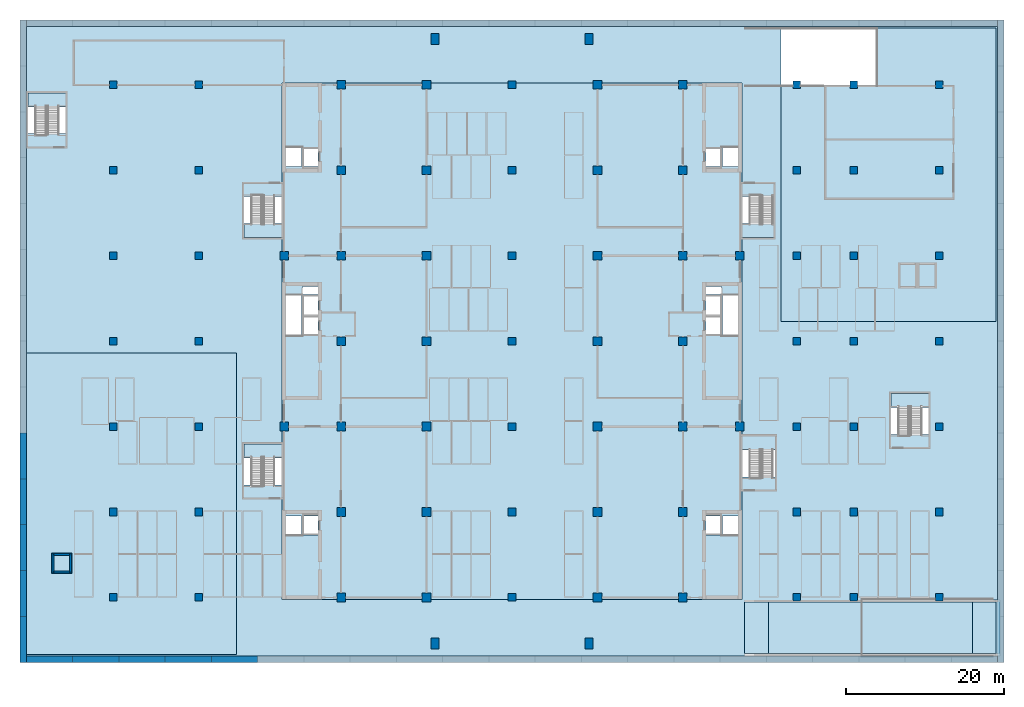
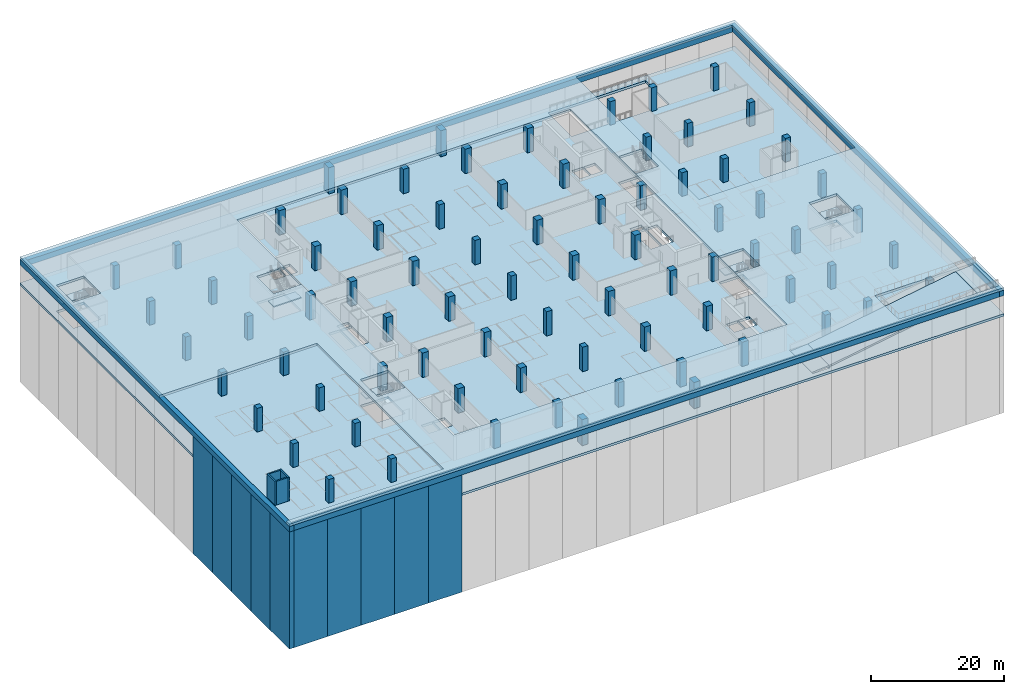
# One storey, part 1 of 18: 78 columns, 14 walls, 12 slabs, 4 beams, 6 elements without a shape of their own.
"""IFC4 building model written with IfcOpenShell, lengths in metres."""

from ifc_helpers import new_model, si_unit, direction, frame, frame_2d, origin, origin_2d, place, context, subcontext, project, spatial, polyline, rectangle, outline, extrude, material, layer, layer_set, material_profile, profile_set, type_object, element, aggregate, save


model = new_model("IFC4")

# Units and contexts
model_context = context("Model", 3, precision=1e-05, world=origin(), true_north=direction((0.0, 1.0)))
body_context = subcontext(model_context, "Body", "Model", "MODEL_VIEW")
ifc_project = project(units=[si_unit("LENGTHUNIT", "METRE"), si_unit("AREAUNIT", "SQUARE_METRE"), si_unit("VOLUMEUNIT", "CUBIC_METRE"), si_unit("PLANEANGLEUNIT", "RADIAN"), si_unit("MASSUNIT", "GRAM", prefix="KILO")], contexts=[model_context])

# Site, building, storey
site_placement = place(None, origin())
site = spatial("IfcSite", under=ifc_project, at=site_placement, CompositionType="ELEMENT")
building_placement = place(site_placement, origin())
building = spatial("IfcBuilding", under=site, at=building_placement, Name="Basin Gate Institute", CompositionType="ELEMENT")
storey_placement = place(building_placement, frame((0.0, 0.0, -4.800048828125)))
storey = spatial("IfcBuildingStorey", under=building, at=storey_placement, Name="B1", CompositionType="ELEMENT", Elevation=-4.800048828125)

# Columns
ifc_material_1 = material(Name="Concrete 60 MPa", Category="concrete")
ifc_material_profile_1 = material_profile(ifc_material_1, rectangle(XDim=1.10009765625, YDim=1.10009765625, at=origin_2d()), Name="Column C1 1100 x 1100")
ifc_profile_set_1 = profile_set([ifc_material_profile_1], Name="Concrete 60 MPa")
column_type_1 = type_object("IfcColumnType", Name="Column C1 R180", PredefinedType="COLUMN", material=ifc_profile_set_1)
for number, where, z_axis, x_axis, name in (
    (1, (61.199951171875, 56.699951171875, 0.0), (0.0, 0.0, 1.0), (1.0, 0.0, 0.0), "COL/B1/4C"),
    (2, (61.199951171875, 78.300048828125, 0.0), (0.0, 0.0, 1.0), (1.0, 0.0, 0.0), "COL/B1/4E"),
    (3, (68.39990234375, 35.10009765625, 0.0), (0.0, 0.0, 1.0), (1.0, 0.0, 0.0), "COL/B1/5A"),
    (4, (68.39990234375, 45.89990234375, 0.0), (0.0, 0.0, 1.0), (1.0, 0.0, 0.0), "COL/B1/5B"),
    (5, (68.39990234375, 56.699951171875, 0.0), (0.0, 0.0, 1.0), (1.0, 0.0, 0.0), "COL/B1/5C"),
    (6, (68.39990234375, 67.5, 0.0), (0.0, 0.0, 1.0), (1.0, 0.0, 0.0), "COL/B1/5D"),
    (7, (68.39990234375, 78.300048828125, 0.0), (0.0, 0.0, 1.0), (1.0, 0.0, 0.0), "COL/B1/5E"),
    (8, (68.39990234375, 89.10009765625, 0.0), (0.0, 0.0, 1.0), (1.0, 0.0, 0.0), "COL/B1/5F"),
    (9, (68.39990234375, 99.89990234375, 0.0), (0.0, 0.0, 1.0), (1.0, 0.0, 0.0), "COL/B1/5G"),
    (10, (79.199951171875, 35.10009765625, 0.0), (0.0, 0.0, 1.0), (1.0, 0.0, 0.0), "COL/B1/6A"),
    (11, (79.199951171875, 45.89990234375, 0.0), (0.0, 0.0, 1.0), (1.0, 0.0, 0.0), "COL/B1/6B"),
    (12, (79.199951171875, 56.699951171875, 0.0), (0.0, 0.0, 1.0), (1.0, 0.0, 0.0), "COL/B1/6C"),
    (13, (79.199951171875, 67.5, 0.0), (0.0, 0.0, 1.0), (1.0, 0.0, 0.0), "COL/B1/6D"),
    (14, (79.199951171875, 78.300048828125, 0.0), (0.0, 0.0, 1.0), (1.0, 0.0, 0.0), "COL/B1/6E"),
    (15, (79.199951171875, 89.10009765625, 0.0), (0.0, 0.0, 1.0), (1.0, 0.0, 0.0), "COL/B1/6F"),
    (16, (79.199951171875, 99.89990234375, 0.0), (0.0, 0.0, 1.0), (1.0, 0.0, 0.0), "COL/B1/6G"),
    (17, (118.800048828125, 56.699951171875, 0.0), (0.0, 0.0, 1.0), (1.0, 0.0, 0.0), "COL/B1/9C"),
    (18, (118.800048828125, 78.300048828125, 0.0), (0.0, 0.0, 1.0), (1.0, 0.0, 0.0), "COL/B1/9E"),
    (19, (111.60009765625, 35.10009765625, 0.0), (0.0, 0.0, 1.0), (1.0, 0.0, 0.0), "COL/B1/8A"),
    (20, (111.60009765625, 45.89990234375, 0.0), (0.0, 0.0, 1.0), (1.0, 0.0, 0.0), "COL/B1/8B"),
    (21, (111.60009765625, 56.699951171875, 0.0), (0.0, 0.0, 1.0), (1.0, 0.0, 0.0), "COL/B1/8C"),
    (22, (111.60009765625, 67.5, 0.0), (0.0, 0.0, 1.0), (1.0, 0.0, 0.0), "COL/B1/8D"),
    (23, (111.60009765625, 78.300048828125, 0.0), (0.0, 0.0, 1.0), (1.0, 0.0, 0.0), "COL/B1/8E"),
    (24, (111.60009765625, 89.10009765625, 0.0), (0.0, 0.0, 1.0), (1.0, 0.0, 0.0), "COL/B1/8F"),
    (25, (111.60009765625, 99.89990234375, 0.0), (0.0, 0.0, 1.0), (1.0, 0.0, 0.0), "COL/B1/8G"),
    (26, (100.800048828125, 35.10009765625, 0.0), (0.0, 0.0, 1.0), (1.0, 0.0, 0.0), "COL/B1/7A"),
    (27, (100.800048828125, 45.89990234375, 0.0), (0.0, 0.0, 1.0), (1.0, 0.0, 0.0), "COL/B1/7B"),
    (28, (100.800048828125, 56.699951171875, 0.0), (0.0, 0.0, 1.0), (1.0, 0.0, 0.0), "COL/B1/7C"),
    (29, (100.800048828125, 67.5, 0.0), (0.0, 0.0, 1.0), (1.0, 0.0, 0.0), "COL/B1/7D"),
    (30, (100.800048828125, 78.300048828125, 0.0), (0.0, 0.0, 1.0), (1.0, 0.0, 0.0), "COL/B1/7E"),
    (31, (100.800048828125, 89.10009765625, 0.0), (0.0, 0.0, 1.0), (1.0, 0.0, 0.0), "COL/B1/7F"),
    (32, (100.800048828125, 99.89990234375, 0.0), (0.0, 0.0, 1.0), (1.0, 0.0, 0.0), "COL/B1/7G"),
):
    element("IfcColumn", number, at=place(storey_placement, frame(where, z_axis=z_axis, x_axis=x_axis)), inside=storey, type_object=column_type_1, material=ifc_profile_set_1, Name=name, PredefinedType="COLUMN", context=body_context, shape_type="SweptSolid", body=[
        extrude(rectangle(XDim=1.10009765625, YDim=1.10009765625, at=origin_2d()), origin(), (0.0, 0.0, 1.0), 4.5),
    ])
ifc_material_2 = material(Name="Concrete 60 MPa", Category="concrete")
ifc_material_profile_2 = material_profile(ifc_material_2, rectangle(XDim=0.949951171875, YDim=0.949951171875, at=origin_2d()), Name="Column C6 950 x 950")
ifc_profile_set_2 = profile_set([ifc_material_profile_2], Name="Concrete 60 MPa")
column_type_2 = type_object("IfcColumnType", Name="Column C6 R180", PredefinedType="COLUMN", material=ifc_profile_set_2)
for number, where, z_axis, x_axis, name in (
    (33, (39.60009765625, 35.10009765625, 0.0), (0.0, 0.0, 1.0), (1.0, 0.0, 0.0), "COL/B1/2A"),
    (34, (39.60009765625, 45.89990234375, 0.0), (0.0, 0.0, 1.0), (1.0, 0.0, 0.0), "COL/B1/2B"),
    (35, (39.60009765625, 56.699951171875, 0.0), (0.0, 0.0, 1.0), (1.0, 0.0, 0.0), "COL/B1/2C"),
    (36, (39.60009765625, 67.5, 0.0), (0.0, 0.0, 1.0), (1.0, 0.0, 0.0), "COL/B1/2D"),
    (37, (39.60009765625, 78.300048828125, 0.0), (0.0, 0.0, 1.0), (1.0, 0.0, 0.0), "COL/B1/2E"),
    (38, (39.60009765625, 89.10009765625, 0.0), (0.0, 0.0, 1.0), (1.0, 0.0, 0.0), "COL/B1/2F"),
    (39, (39.60009765625, 99.89990234375, 0.0), (0.0, 0.0, 1.0), (1.0, 0.0, 0.0), "COL/B1/2G"),
    (40, (50.39990234375, 35.10009765625, 0.0), (0.0, 0.0, 1.0), (1.0, 0.0, 0.0), "COL/B1/3A"),
    (41, (50.39990234375, 45.89990234375, 0.0), (0.0, 0.0, 1.0), (1.0, 0.0, 0.0), "COL/B1/3B"),
    (42, (50.39990234375, 56.699951171875, 0.0), (0.0, 0.0, 1.0), (1.0, 0.0, 0.0), "COL/B1/3C"),
    (43, (50.39990234375, 67.5, 0.0), (0.0, 0.0, 1.0), (1.0, 0.0, 0.0), "COL/B1/3D"),
    (44, (50.39990234375, 78.300048828125, 0.0), (0.0, 0.0, 1.0), (1.0, 0.0, 0.0), "COL/B1/3E"),
    (45, (50.39990234375, 89.10009765625, 0.0), (0.0, 0.0, 1.0), (1.0, 0.0, 0.0), "COL/B1/3F"),
    (46, (50.39990234375, 99.89990234375, 0.0), (0.0, 0.0, 1.0), (1.0, 0.0, 0.0), "COL/B1/3G"),
):
    element("IfcColumn", number, at=place(storey_placement, frame(where, z_axis=z_axis, x_axis=x_axis)), inside=storey, type_object=column_type_2, material=ifc_profile_set_2, Name=name, PredefinedType="COLUMN", context=body_context, shape_type="SweptSolid", body=[
        extrude(rectangle(XDim=0.949951171875, YDim=0.949951171875, at=origin_2d()), origin(), (0.0, 0.0, 1.0), 4.35009765625),
    ])
for number, where, z_axis, x_axis, name in (
    (47, (90.0, 35.10009765625, 0.0), (0.0, 0.0, 1.0), (1.0, 0.0, 0.0), "COL/B1/6.5A"),
    (48, (90.0, 45.89990234375, 0.0), (0.0, 0.0, 1.0), (1.0, 0.0, 0.0), "COL/B1/6.5B"),
    (49, (90.0, 56.699951171875, 0.0), (0.0, 0.0, 1.0), (1.0, 0.0, 0.0), "COL/B1/6.5C"),
    (50, (90.0, 67.5, 0.0), (0.0, 0.0, 1.0), (1.0, 0.0, 0.0), "COL/B1/6.5D"),
    (51, (90.0, 78.300048828125, 0.0), (0.0, 0.0, 1.0), (1.0, 0.0, 0.0), "COL/B1/6.5E"),
    (52, (90.0, 89.10009765625, 0.0), (0.0, 0.0, 1.0), (1.0, 0.0, 0.0), "COL/B1/6.5F"),
    (53, (90.0, 99.89990234375, 0.0), (0.0, 0.0, 1.0), (1.0, 0.0, 0.0), "COL/B1/6.5G"),
):
    element("IfcColumn", number, at=place(storey_placement, frame(where, z_axis=z_axis, x_axis=x_axis)), inside=storey, type_object=column_type_2, material=ifc_profile_set_2, Name=name, PredefinedType="COLUMN", context=body_context, shape_type="SweptSolid", body=[
        extrude(rectangle(XDim=0.949951171875, YDim=0.949951171875, at=origin_2d()), origin(), (0.0, 0.0, 1.0), 4.5),
    ])
for number, where, z_axis, x_axis, name in (
    (54, (126.0, 35.10009765625, 0.0), (0.0, 0.0, 1.0), (1.0, 0.0, 0.0), "COL/B1/10A"),
    (55, (126.0, 45.89990234375, 0.0), (0.0, 0.0, 1.0), (1.0, 0.0, 0.0), "COL/B1/10B"),
    (56, (126.0, 56.699951171875, 0.0), (0.0, 0.0, 1.0), (1.0, 0.0, 0.0), "COL/B1/10C"),
    (57, (126.0, 67.5, 0.0), (0.0, 0.0, 1.0), (1.0, 0.0, 0.0), "COL/B1/10D"),
    (58, (126.0, 78.300048828125, 0.0), (0.0, 0.0, 1.0), (1.0, 0.0, 0.0), "COL/B1/10E"),
    (59, (126.0, 89.10009765625, 0.0), (0.0, 0.0, 1.0), (1.0, 0.0, 0.0), "COL/B1/10F"),
    (60, (126.0, 99.89990234375, 0.0), (0.0, 0.0, 1.0), (1.0, 0.0, 0.0), "COL/B1/10G"),
    (61, (133.199951171875, 35.10009765625, 0.0), (0.0, 0.0, 1.0), (1.0, 0.0, 0.0), "COL/B1/11A"),
    (62, (133.199951171875, 45.89990234375, 0.0), (0.0, 0.0, 1.0), (1.0, 0.0, 0.0), "COL/B1/11B"),
    (63, (133.199951171875, 56.699951171875, 0.0), (0.0, 0.0, 1.0), (1.0, 0.0, 0.0), "COL/B1/11C"),
    (64, (133.199951171875, 67.5, 0.0), (0.0, 0.0, 1.0), (1.0, 0.0, 0.0), "COL/B1/11D"),
    (65, (133.199951171875, 78.300048828125, 0.0), (0.0, 0.0, 1.0), (1.0, 0.0, 0.0), "COL/B1/11E"),
    (66, (133.199951171875, 89.10009765625, 0.0), (0.0, 0.0, 1.0), (1.0, 0.0, 0.0), "COL/B1/11F"),
    (67, (133.199951171875, 99.89990234375, 0.0), (0.0, 0.0, 1.0), (1.0, 0.0, 0.0), "COL/B1/11G"),
    (68, (144.0, 35.10009765625, 0.0), (0.0, 0.0, 1.0), (1.0, 0.0, 0.0), "COL/B1/E1A"),
    (69, (144.0, 45.89990234375, 0.0), (0.0, 0.0, 1.0), (1.0, 0.0, 0.0), "COL/B1/E1B"),
    (70, (144.0, 56.699951171875, 0.0), (0.0, 0.0, 1.0), (1.0, 0.0, 0.0), "COL/B1/E1C"),
    (71, (144.0, 67.5, 0.0), (0.0, 0.0, 1.0), (1.0, 0.0, 0.0), "COL/B1/E1D"),
    (72, (144.0, 78.300048828125, 0.0), (0.0, 0.0, 1.0), (1.0, 0.0, 0.0), "COL/B1/E1E"),
    (73, (144.0, 89.10009765625, 0.0), (0.0, 0.0, 1.0), (1.0, 0.0, 0.0), "COL/B1/E1F"),
    (74, (144.0, 99.89990234375, 0.0), (0.0, 0.0, 1.0), (1.0, 0.0, 0.0), "COL/B1/E1G"),
):
    element("IfcColumn", number, at=place(storey_placement, frame(where, z_axis=z_axis, x_axis=x_axis)), inside=storey, type_object=column_type_2, material=ifc_profile_set_2, Name=name, PredefinedType="COLUMN", context=body_context, shape_type="SweptSolid", body=[
        extrude(rectangle(XDim=0.949951171875, YDim=0.949951171875, at=origin_2d()), origin(), (0.0, 0.0, 1.0), 4.35009765625),
    ])
ifc_material_3 = material(Name="Concrete 40 MPa", Category="concrete")
ifc_material_profile_3 = material_profile(ifc_material_3, rectangle(XDim=1.0, YDim=1.39990234375, at=origin_2d()), Name="Shell portal column SC1 1000 x 1400")
ifc_profile_set_3 = profile_set([ifc_material_profile_3], Name="Concrete 40 MPa")
column_type_3 = type_object("IfcColumnType", Name="Shell portal column SC1 R180", PredefinedType="COLUMN", material=ifc_profile_set_3)
for number, where, z_axis, x_axis, name in (
    (75, (80.25, 29.300048828125, 0.0), (0.0, 0.0, 1.0), (1.0, 0.0, 0.0), "Atrium shell portal column R180 SW B1"),
    (76, (99.75, 29.300048828125, 0.0), (0.0, 0.0, 1.0), (1.0, 0.0, 0.0), "Atrium shell portal column R180 SE B1"),
    (77, (80.25, 105.699951171875, 0.0), (0.0, 0.0, 1.0), (1.0, 0.0, 0.0), "Atrium shell portal column R180 NW B1"),
    (78, (99.75, 105.699951171875, 0.0), (0.0, 0.0, 1.0), (1.0, 0.0, 0.0), "Atrium shell portal column R180 NE B1"),
):
    element("IfcColumn", number, at=place(storey_placement, frame(where, z_axis=z_axis, x_axis=x_axis)), inside=storey, type_object=column_type_3, material=ifc_profile_set_3, Name=name, PredefinedType="COLUMN", context=body_context, shape_type="SweptSolid", body=[
        extrude(rectangle(XDim=1.0, YDim=1.39990234375, at=origin_2d()), origin(), (0.0, 0.0, 1.0), 4.800048828125),
    ])

# Beams
ifc_material_4 = material(Name="Concrete 40 MPa", Category="concrete")
ifc_material_profile_4 = material_profile(ifc_material_4, rectangle(XDim=0.800048828125, YDim=1.0, at=origin_2d()), Name="Girder G3 800 x 1000")
ifc_profile_set_4 = profile_set([ifc_material_profile_4], Name="Concrete 40 MPa")
beam_type = type_object("IfcBeamType", Name="Girder G3 R180", PredefinedType="BEAM", material=ifc_profile_set_4)
for number, where, z_axis, x_axis, name in (
    (79, (28.199951171875, 26.89990234375, 3.85009765625), (0.0, 1.0, 0.0), (-1.0, 0.0, 0.0), "BEAM/B1/CAPPING/W"),
    (80, (151.800048828125, 26.89990234375, 3.85009765625), (0.0, 1.0, 0.0), (-1.0, 0.0, 0.0), "BEAM/B1/CAPPING/E"),
):
    element("IfcBeam", number, at=place(storey_placement, frame(where, z_axis=z_axis, x_axis=x_axis)), inside=storey, type_object=beam_type, material=ifc_profile_set_4, Name=name, PredefinedType="BEAM", context=body_context, shape_type="SweptSolid", body=[
        extrude(rectangle(XDim=0.800048828125, YDim=1.0, at=origin_2d()), origin(), (0.0, 0.0, 1.0), 81.2001953125),
    ])
for number, where, z_axis, x_axis, name in (
    (81, (28.60009765625, 27.300048828125, 3.85009765625), (1.0, 0.0, 0.0), (0.0, 1.0, 0.0), "BEAM/B1/CAPPING/S"),
    (82, (28.60009765625, 107.699951171875, 3.85009765625), (1.0, 0.0, 0.0), (0.0, 1.0, 0.0), "BEAM/B1/CAPPING/N"),
):
    element("IfcBeam", number, at=place(storey_placement, frame(where, z_axis=z_axis, x_axis=x_axis)), inside=storey, type_object=beam_type, material=ifc_profile_set_4, Name=name, PredefinedType="BEAM", context=body_context, shape_type="SweptSolid", body=[
        extrude(rectangle(XDim=0.800048828125, YDim=1.0, at=origin_2d()), origin(), (0.0, 0.0, 1.0), 122.7998046875),
    ])

# Slabs
ifc_material_5 = material(Name="Concrete 40 MPa", Category="concrete")
ifc_layer_1 = layer(ifc_material_5, 0.449951171875)
ifc_layer_set_1 = layer_set([ifc_layer_1], Name="Concrete 40 MPa")
slab_type_1 = type_object("IfcSlabType", Name="Slab RS2 R180", PredefinedType="ROOF", material=ifc_layer_set_1)
slab_1_placement = place(storey_placement, frame((0.0, 0.0, 4.35009765625)))
element("IfcSlab", 83, at=slab_1_placement, inside=storey, type_object=slab_type_1, material=ifc_layer_set_1, Name="SLAB/B1/DECK", PredefinedType="ROOF", context=body_context, shape_type="SweptSolid", body=[
    extrude(outline(polyline([(27.800048828125, 108.10009765625), (152.199951171875, 108.10009765625), (152.199951171875, 26.89990234375), (27.800048828125, 26.89990234375), (27.800048828125, 27.89990234375), (55.199951171875, 27.89990234375), (55.199951171875, 66.0), (27.800048828125, 66.0), (27.800048828125, 108.10009765625)]), holes=[polyline([(119.050048828125, 34.85009765625), (119.050048828125, 100.14990234375), (60.949951171875, 100.14990234375), (60.949951171875, 34.85009765625), (119.050048828125, 34.85009765625)]), polyline([(56.10009765625, 49.320068359375), (60.89990234375, 49.320068359375), (60.89990234375, 54.5), (56.10009765625, 54.5), (56.10009765625, 49.320068359375)]), polyline([(56.10009765625, 80.60009765625), (60.89990234375, 80.60009765625), (60.89990234375, 85.780029296875), (56.10009765625, 85.780029296875), (56.10009765625, 80.60009765625)]), polyline([(119.10009765625, 50.320068359375), (123.300048828125, 50.320068359375), (123.300048828125, 55.5), (119.10009765625, 55.5), (119.10009765625, 50.320068359375)]), polyline([(119.10009765625, 80.60009765625), (123.10009765625, 80.60009765625), (123.10009765625, 85.780029296875), (119.10009765625, 85.780029296875), (119.10009765625, 80.60009765625)]), polyline([(28.800048828125, 93.719970703125), (33.60009765625, 93.719970703125), (33.60009765625, 98.89990234375), (28.800048828125, 98.89990234375), (28.800048828125, 93.719970703125)]), polyline([(137.89990234375, 55.719970703125), (142.699951171875, 55.719970703125), (142.699951171875, 60.89990234375), (137.89990234375, 60.89990234375), (137.89990234375, 55.719970703125)]), polyline([(134.300048828125, 27.699951171875), (151.199951171875, 27.699951171875), (151.199951171875, 34.800048828125), (134.300048828125, 34.800048828125), (134.300048828125, 27.699951171875)]), polyline([(124.0, 70.0), (151.199951171875, 70.0), (151.199951171875, 107.10009765625), (124.0, 107.10009765625), (124.0, 70.0)])]), origin(), (0.0, 0.0, 1.0), 0.449951171875),
])
ifc_material_6 = material(Name="Concrete 40 MPa", Category="concrete")
ifc_layer_2 = layer(ifc_material_6, 0.449951171875)
ifc_layer_set_2 = layer_set([ifc_layer_2], Name="Concrete 40 MPa")
slab_type_2 = type_object("IfcSlabType", Name="Slab SL2 R180", PredefinedType="FLOOR", material=ifc_layer_set_2)
slab_2_placement = place(storey_placement, frame((0.0, 0.0, -0.449951171875)))
element("IfcSlab", 84, at=slab_2_placement, inside=storey, type_object=slab_type_2, material=ifc_layer_set_2, Name="SLAB/B1/FLOOR", PredefinedType="FLOOR", context=body_context, shape_type="SweptSolid", body=[
    extrude(outline(polyline([(27.800048828125, 26.89990234375), (152.199951171875, 26.89990234375), (152.199951171875, 108.10009765625), (27.800048828125, 108.10009765625), (27.800048828125, 26.89990234375)]), holes=[polyline([(61.449951171875, 43.0), (63.39990234375, 43.0), (63.39990234375, 45.39990234375), (61.449951171875, 45.39990234375), (61.449951171875, 43.0)]), polyline([(61.449951171875, 68.199951171875), (63.39990234375, 68.199951171875), (63.39990234375, 73.300048828125), (61.449951171875, 73.300048828125), (61.449951171875, 68.199951171875)]), polyline([(63.5, 73.39990234375), (65.449951171875, 73.39990234375), (65.449951171875, 74.39990234375), (63.5, 74.39990234375), (63.5, 73.39990234375)]), polyline([(61.449951171875, 89.60009765625), (63.39990234375, 89.60009765625), (63.39990234375, 92.0), (61.449951171875, 92.0), (61.449951171875, 89.60009765625)]), polyline([(63.5, 43.0), (65.449951171875, 43.0), (65.449951171875, 45.39990234375), (63.5, 45.39990234375), (63.5, 43.0)]), polyline([(65.449951171875, 68.199951171875), (63.5, 68.199951171875), (63.5, 73.300048828125), (65.449951171875, 73.300048828125), (65.449951171875, 68.199951171875)]), polyline([(63.5, 89.60009765625), (65.449951171875, 89.60009765625), (65.449951171875, 92.0), (63.5, 92.0), (63.5, 89.60009765625)]), polyline([(56.10009765625, 49.320068359375), (60.89990234375, 49.320068359375), (60.89990234375, 54.5), (56.10009765625, 54.5), (56.10009765625, 49.320068359375)]), polyline([(56.10009765625, 80.60009765625), (60.89990234375, 80.60009765625), (60.89990234375, 85.780029296875), (56.10009765625, 85.780029296875), (56.10009765625, 80.60009765625)]), polyline([(119.10009765625, 50.320068359375), (123.300048828125, 50.320068359375), (123.300048828125, 55.5), (119.10009765625, 55.5), (119.10009765625, 50.320068359375)]), polyline([(119.10009765625, 80.60009765625), (123.10009765625, 80.60009765625), (123.10009765625, 85.780029296875), (119.10009765625, 85.780029296875), (119.10009765625, 80.60009765625)]), polyline([(28.800048828125, 93.719970703125), (33.60009765625, 93.719970703125), (33.60009765625, 98.89990234375), (28.800048828125, 98.89990234375), (28.800048828125, 93.719970703125)]), polyline([(137.89990234375, 55.719970703125), (142.699951171875, 55.719970703125), (142.699951171875, 60.89990234375), (137.89990234375, 60.89990234375), (137.89990234375, 55.719970703125)]), polyline([(119.39990234375, 27.699951171875), (122.39990234375, 27.699951171875), (122.39990234375, 34.800048828125), (119.39990234375, 34.800048828125), (119.39990234375, 27.699951171875)]), polyline([(119.050048828125, 99.85009765625), (136.050048828125, 99.85009765625), (136.050048828125, 106.949951171875), (119.050048828125, 106.949951171875), (119.050048828125, 99.85009765625)]), polyline([(118.550048828125, 45.39990234375), (116.60009765625, 45.39990234375), (116.60009765625, 43.0), (118.550048828125, 43.0), (118.550048828125, 45.39990234375)]), polyline([(118.550048828125, 73.300048828125), (116.60009765625, 73.300048828125), (116.60009765625, 68.199951171875), (118.550048828125, 68.199951171875), (118.550048828125, 73.300048828125)]), polyline([(116.5, 74.39990234375), (114.550048828125, 74.39990234375), (114.550048828125, 73.39990234375), (116.5, 73.39990234375), (116.5, 74.39990234375)]), polyline([(118.550048828125, 92.0), (116.60009765625, 92.0), (116.60009765625, 89.60009765625), (118.550048828125, 89.60009765625), (118.550048828125, 92.0)]), polyline([(116.5, 45.39990234375), (114.550048828125, 45.39990234375), (114.550048828125, 43.0), (116.5, 43.0), (116.5, 45.39990234375)]), polyline([(116.5, 68.199951171875), (114.550048828125, 68.199951171875), (114.550048828125, 73.300048828125), (116.5, 73.300048828125), (116.5, 68.199951171875)]), polyline([(116.5, 92.0), (114.550048828125, 92.0), (114.550048828125, 89.60009765625), (116.5, 89.60009765625), (116.5, 92.0)])]), origin(), (0.0, 0.0, 1.0), 0.449951171875),
])

# Stair, slab
ifc_material_7 = material(Name="Concrete 40 MPa", Category="concrete")
stair_type = type_object("IfcStairType", Name="Stair ST", PredefinedType="HALF_TURN_STAIR", material=ifc_material_7)
stair_1_placement = place(storey_placement, origin())
stair_1 = element("IfcStair", 85, at=stair_1_placement, inside=storey, type_object=stair_type, material=ifc_material_7, Name="Basement stair ST-BS1 B1", PredefinedType="HALF_TURN_STAIR")
ifc_material_8 = material(Name="Concrete 40 MPa", Category="concrete")
ifc_layer_3 = layer(ifc_material_8, 0.199951171875)
ifc_layer_set_3 = layer_set([ifc_layer_3], Name="Concrete 40 MPa")
slab_type_3 = type_object("IfcSlabType", Name="Stair landing LN REI 180", PredefinedType="LANDING", material=ifc_layer_set_3)
slab_3_placement = place(storey_placement, frame((0.0, 0.0, 2.199951171875)))
slab_3 = element("IfcSlab", 86, at=slab_3_placement, type_object=slab_type_3, material=ifc_layer_set_3, Name="Stair landing ST-BS1-L1 B1", PredefinedType="LANDING", context=body_context, shape_type="SweptSolid", body=[
    extrude(outline(polyline([(56.10009765625, 52.719970703125), (60.89990234375, 52.719970703125), (60.89990234375, 54.5), (56.10009765625, 54.5), (56.10009765625, 52.719970703125)])), origin(), (0.0, 0.0, 1.0), 0.2001953125),
])
aggregate(stair_1, [slab_3])

stair_2_placement = place(storey_placement, origin())
stair_2 = element("IfcStair", 87, at=stair_2_placement, inside=storey, type_object=stair_type, material=ifc_material_7, Name="Basement stair ST-BS2 B1", PredefinedType="HALF_TURN_STAIR")
slab_4_placement = place(storey_placement, frame((0.0, 0.0, 2.199951171875)))
slab_4 = element("IfcSlab", 88, at=slab_4_placement, type_object=slab_type_3, material=ifc_layer_set_3, Name="Stair landing ST-BS2-L1 B1", PredefinedType="LANDING", context=body_context, shape_type="SweptSolid", body=[
    extrude(outline(polyline([(56.10009765625, 80.60009765625), (60.89990234375, 80.60009765625), (60.89990234375, 82.3798828125), (56.10009765625, 82.3798828125), (56.10009765625, 80.60009765625)])), origin(), (0.0, 0.0, 1.0), 0.2001953125),
])
aggregate(stair_2, [slab_4])

stair_3_placement = place(storey_placement, origin())
stair_3 = element("IfcStair", 89, at=stair_3_placement, inside=storey, type_object=stair_type, material=ifc_material_7, Name="Basement stair ST-BS3 B1", PredefinedType="HALF_TURN_STAIR")
slab_5_placement = place(storey_placement, frame((0.0, 0.0, 2.199951171875)))
slab_5 = element("IfcSlab", 90, at=slab_5_placement, type_object=slab_type_3, material=ifc_layer_set_3, Name="Stair landing ST-BS3-L1 B1", PredefinedType="LANDING", context=body_context, shape_type="SweptSolid", body=[
    extrude(outline(polyline([(119.10009765625, 53.719970703125), (123.300048828125, 53.719970703125), (123.300048828125, 55.5), (119.10009765625, 55.5), (119.10009765625, 53.719970703125)])), origin(), (0.0, 0.0, 1.0), 0.2001953125),
])
aggregate(stair_3, [slab_5])

stair_4_placement = place(storey_placement, origin())
stair_4 = element("IfcStair", 91, at=stair_4_placement, inside=storey, type_object=stair_type, material=ifc_material_7, Name="Basement stair ST-BS4 B1", PredefinedType="HALF_TURN_STAIR")
slab_6_placement = place(storey_placement, frame((0.0, 0.0, 2.199951171875)))
slab_6 = element("IfcSlab", 92, at=slab_6_placement, type_object=slab_type_3, material=ifc_layer_set_3, Name="Stair landing ST-BS4-L1 B1", PredefinedType="LANDING", context=body_context, shape_type="SweptSolid", body=[
    extrude(outline(polyline([(119.10009765625, 80.60009765625), (123.10009765625, 80.60009765625), (123.10009765625, 82.3798828125), (119.10009765625, 82.3798828125), (119.10009765625, 80.60009765625)])), origin(), (0.0, 0.0, 1.0), 0.2001953125),
])
aggregate(stair_4, [slab_6])

stair_5_placement = place(storey_placement, origin())
stair_5 = element("IfcStair", 93, at=stair_5_placement, inside=storey, type_object=stair_type, material=ifc_material_7, Name="Basement stair ST-BS5 B1", PredefinedType="HALF_TURN_STAIR")
slab_7_placement = place(storey_placement, frame((0.0, 0.0, 2.199951171875)))
slab_7 = element("IfcSlab", 94, at=slab_7_placement, type_object=slab_type_3, material=ifc_layer_set_3, Name="Stair landing ST-BS5-L1 B1", PredefinedType="LANDING", context=body_context, shape_type="SweptSolid", body=[
    extrude(outline(polyline([(28.800048828125, 97.1201171875), (33.60009765625, 97.1201171875), (33.60009765625, 98.89990234375), (28.800048828125, 98.89990234375), (28.800048828125, 97.1201171875)])), origin(), (0.0, 0.0, 1.0), 0.2001953125),
])
aggregate(stair_5, [slab_7])

stair_6_placement = place(storey_placement, origin())
stair_6 = element("IfcStair", 95, at=stair_6_placement, inside=storey, type_object=stair_type, material=ifc_material_7, Name="Basement stair ST-BS6 B1", PredefinedType="HALF_TURN_STAIR")
slab_8_placement = place(storey_placement, frame((0.0, 0.0, 2.199951171875)))
slab_8 = element("IfcSlab", 96, at=slab_8_placement, type_object=slab_type_3, material=ifc_layer_set_3, Name="Stair landing ST-BS6-L1 B1", PredefinedType="LANDING", context=body_context, shape_type="SweptSolid", body=[
    extrude(outline(polyline([(137.89990234375, 59.1201171875), (142.699951171875, 59.1201171875), (142.699951171875, 60.89990234375), (137.89990234375, 60.89990234375), (137.89990234375, 59.1201171875)])), origin(), (0.0, 0.0, 1.0), 0.2001953125),
])
aggregate(stair_6, [slab_8])

# Slabs
ifc_material_9 = material(Name="Concrete 40 MPa", Category="concrete")
ifc_layer_4 = layer(ifc_material_9, 0.300048828125)
ifc_layer_set_4 = layer_set([ifc_layer_4], Name="Concrete 40 MPa")
slab_type_4 = type_object("IfcSlabType", Name="Vehicle ramp slab RS1", PredefinedType="FLOOR", material=ifc_layer_set_4)
slab_9_placement = place(storey_placement, frame((151.199951171875, 34.5, 4.800048828125), z_axis=(-0.083045479854, 0.0, 0.996545758245), x_axis=(-0.996545758245, 0.0, -0.083045479854)))
element("IfcSlab", 97, at=slab_9_placement, inside=storey, type_object=slab_type_4, material=ifc_layer_set_4, Name="Vehicle ramp slab R1-F1", PredefinedType="FLOOR", context=body_context, shape_type="SweptSolid", body=[
    extrude(outline(polyline([(0.0, 0.0), (3.010398644698074, 0.0), (3.010398644698074, 6.5), (0.0, 6.5), (0.0, 0.0)])), origin(), (0.0, 0.0, -1.0), 0.300048828125),
])
slab_10_placement = place(storey_placement, frame((148.199951171875, 34.5, 4.550048828125), z_axis=(-0.164400500934, 0.0, 0.98639367156), x_axis=(-0.98639367156, 0.0, -0.164400500934)))
element("IfcSlab", 98, at=slab_10_placement, inside=storey, type_object=slab_type_4, material=ifc_layer_set_4, Name="Vehicle ramp slab R1-F2", PredefinedType="FLOOR", context=body_context, shape_type="SweptSolid", body=[
    extrude(outline(polyline([(0.0, 0.0), (26.155935071373257, 0.0), (26.155935071373257, 6.500000000000002), (0.0, 6.500000000000002), (0.0, 0.0)])), origin(), (0.0, 0.0, -1.0), 0.300048828125),
])
slab_11_placement = place(storey_placement, frame((122.39990234375, 34.5, 0.25), z_axis=(-0.083045479854, 0.0, 0.996545758245), x_axis=(-0.996545758245, 0.0, -0.083045479854)))
element("IfcSlab", 99, at=slab_11_placement, inside=storey, type_object=slab_type_4, material=ifc_layer_set_4, Name="Vehicle ramp slab R1-F3", PredefinedType="FLOOR", context=body_context, shape_type="SweptSolid", body=[
    extrude(outline(polyline([(0.0, 0.0), (3.010398644698074, 0.0), (3.010398644698074, 6.5), (0.0, 6.5), (0.0, 0.0)])), origin(), (0.0, 0.0, -1.0), 0.300048828125),
])
slab_12_placement = place(storey_placement, frame((151.199951171875, 27.699951171875, 4.800048828125), z_axis=(0.0, 0.0, 1.0), x_axis=(1.0, 0.0, 0.0)))
element("IfcSlab", 100, at=slab_12_placement, inside=storey, type_object=slab_type_4, material=ifc_layer_set_4, Name="Vehicle ramp top landing R1-F4", PredefinedType="FLOOR", context=body_context, shape_type="SweptSolid", body=[
    extrude(outline(polyline([(0.0, 0.0), (0.5, 0.0), (0.5, 7.10009765625), (0.0, 7.10009765625), (0.0, 0.0)])), origin(), (0.0, 0.0, -1.0), 0.300048828125),
])

# Walls
ifc_material_10 = material(Name="Concrete 40 MPa", Category="concrete")
ifc_layer_5 = layer(ifc_material_10, 0.25)
ifc_layer_set_5 = layer_set([ifc_layer_5], Name="Concrete 40 MPa")
wall_type_1 = type_object("IfcWallType", Name="Lift shaft enclosure wall W76 EI 120", PredefinedType="SOLIDWALL", material=ifc_layer_set_5)
for number, where, z_axis, x_axis, name in (
    (101, (32.074951171875, 38.300048828125, 0.0), (0.0, 0.0, 1.0), (1.0, 0.0, 0.0), "Lift shaft enclosure LP7 S B1"),
    (102, (32.074951171875, 40.550048828125, 0.0), (0.0, 0.0, 1.0), (1.0, 0.0, 0.0), "Lift shaft enclosure LP7 N B1"),
):
    element("IfcWall", number, at=place(storey_placement, frame(where, z_axis=z_axis, x_axis=x_axis)), inside=storey, type_object=wall_type_1, material=ifc_layer_set_5, Name=name, PredefinedType="SOLIDWALL", context=body_context, shape_type="SweptSolid", body=[
        extrude(rectangle(XDim=2.0, YDim=0.25, at=frame_2d((1.0, 0.0))), origin(), (0.0, 0.0, 1.0), 4.35009765625),
    ])
for number, where, z_axis, x_axis, name in (
    (103, (31.949951171875, 38.175048828125, 0.0), (0.0, 0.0, 1.0), (0.0, 1.0, 0.0), "Lift shaft enclosure LP7 W B1"),
    (104, (34.199951171875, 38.175048828125, 0.0), (0.0, 0.0, 1.0), (0.0, 1.0, 0.0), "Lift shaft enclosure LP7 E B1"),
):
    element("IfcWall", number, at=place(storey_placement, frame(where, z_axis=z_axis, x_axis=x_axis)), inside=storey, type_object=wall_type_1, material=ifc_layer_set_5, Name=name, PredefinedType="SOLIDWALL", context=body_context, shape_type="SweptSolid", body=[
        extrude(rectangle(XDim=2.5, YDim=0.25, at=frame_2d((1.25, 0.0))), origin(), (0.0, 0.0, 1.0), 4.35009765625),
    ])
ifc_material_11 = material(Name="Concrete 40 MPa", Category="concrete")
ifc_layer_6 = layer(ifc_material_11, 0.800048828125)
ifc_layer_set_6 = layer_set([ifc_layer_6], Name="Concrete 40 MPa")
wall_type_2 = type_object("IfcWallType", Name="Wall DW1 R180", PredefinedType="SOLIDWALL", material=ifc_layer_set_6)
for number, where, z_axis, x_axis, name in (
    (105, (28.199951171875, 26.89990234375, -18.199951171875), (0.0, 0.0, 1.0), (0.0, 1.0, 0.0), "WALL/B1/BASE/W/01"),
    (106, (28.199951171875, 32.699951171875, -18.199951171875), (0.0, 0.0, 1.0), (0.0, 1.0, 0.0), "WALL/B1/BASE/W/02"),
    (107, (28.199951171875, 38.5, -18.199951171875), (0.0, 0.0, 1.0), (0.0, 1.0, 0.0), "WALL/B1/BASE/W/03"),
    (108, (28.199951171875, 44.300048828125, -18.199951171875), (0.0, 0.0, 1.0), (0.0, 1.0, 0.0), "WALL/B1/BASE/W/04"),
):
    element("IfcWall", number, at=place(storey_placement, frame(where, z_axis=z_axis, x_axis=x_axis)), inside=storey, type_object=wall_type_2, material=ifc_layer_set_6, Name=name, PredefinedType="SOLIDWALL", context=body_context, shape_type="SweptSolid", body=[
        extrude(rectangle(XDim=5.800048828125, YDim=0.800048828125, at=frame_2d((2.89990234375, 0.0))), origin(), (0.0, 0.0, 1.0), 21.550048828125),
    ])
wall_1_placement = place(storey_placement, frame((28.199951171875, 50.10009765625, -18.199951171875), z_axis=(0.0, 0.0, 1.0), x_axis=(0.0, 1.0, 0.0)))
element("IfcWall", 109, at=wall_1_placement, inside=storey, type_object=wall_type_2, material=ifc_layer_set_6, Name="WALL/B1/BASE/W/05", PredefinedType="SOLIDWALL", context=body_context, shape_type="SweptSolid", body=[
    extrude(rectangle(XDim=5.7998046875, YDim=0.800048828125, at=frame_2d((2.89990234375, 0.0))), origin(), (0.0, 0.0, 1.0), 21.550048828125),
])
wall_2_placement = place(storey_placement, frame((28.60009765625, 27.300048828125, -18.199951171875), z_axis=(0.0, 0.0, 1.0), x_axis=(1.0, 0.0, 0.0)))
element("IfcWall", 110, at=wall_2_placement, inside=storey, type_object=wall_type_2, material=ifc_layer_set_6, Name="WALL/B1/BASE/S/01", PredefinedType="SOLIDWALL", context=body_context, shape_type="SweptSolid", body=[
    extrude(rectangle(XDim=5.847412109375, YDim=0.800048828125, at=frame_2d((2.923828125, 0.0))), origin(), (0.0, 0.0, 1.0), 21.550048828125),
])
for number, where, z_axis, x_axis, name in (
    (111, (34.447509765625, 27.300048828125, -18.199951171875), (0.0, 0.0, 1.0), (1.0, 0.0, 0.0), "WALL/B1/BASE/S/02"),
    (112, (40.295166015625, 27.300048828125, -18.199951171875), (0.0, 0.0, 1.0), (1.0, 0.0, 0.0), "WALL/B1/BASE/S/03"),
    (113, (46.142822265625, 27.300048828125, -18.199951171875), (0.0, 0.0, 1.0), (1.0, 0.0, 0.0), "WALL/B1/BASE/S/04"),
    (114, (51.990478515625, 27.300048828125, -18.199951171875), (0.0, 0.0, 1.0), (1.0, 0.0, 0.0), "WALL/B1/BASE/S/05"),
):
    element("IfcWall", number, at=place(storey_placement, frame(where, z_axis=z_axis, x_axis=x_axis)), inside=storey, type_object=wall_type_2, material=ifc_layer_set_6, Name=name, PredefinedType="SOLIDWALL", context=body_context, shape_type="SweptSolid", body=[
        extrude(rectangle(XDim=5.84765625, YDim=0.800048828125, at=frame_2d((2.923828125, 0.0))), origin(), (0.0, 0.0, 1.0), 21.550048828125),
    ])

save(model, "model.ifc")
